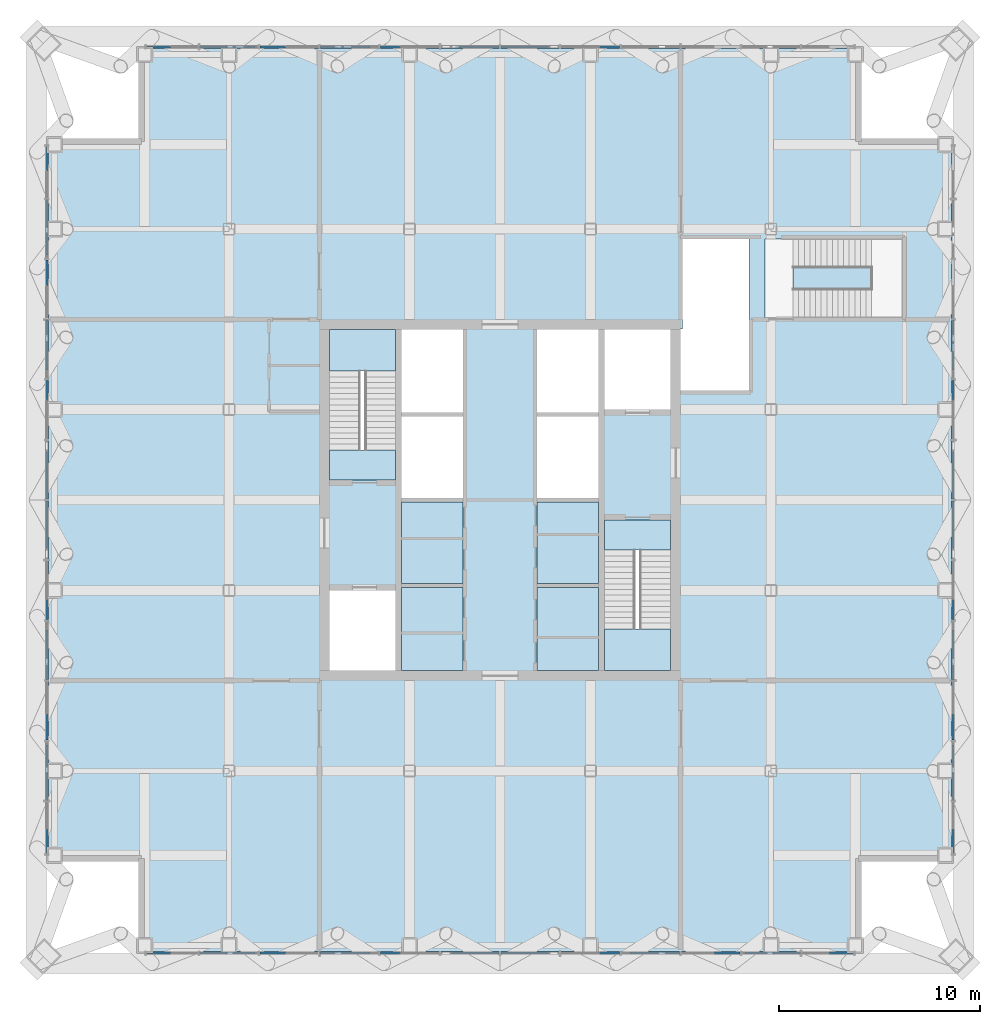
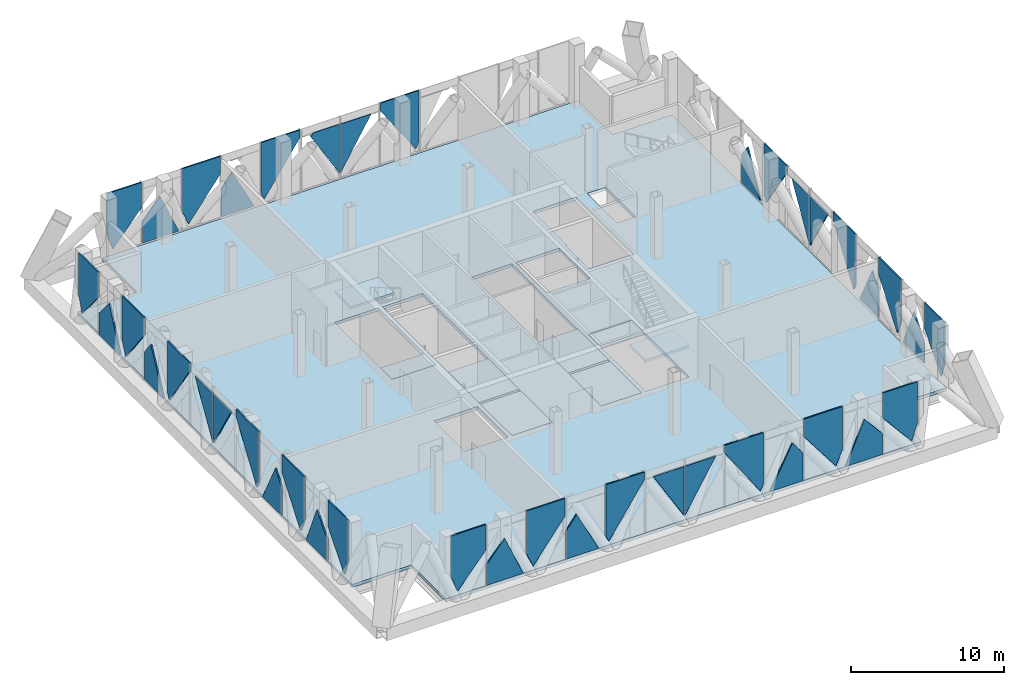
# One storey, part 13 of 27: 41 plates, 9 slabs, 6 elements without a shape of their own.
"""IFC4 building model written with IfcOpenShell, lengths in metres."""

from ifc_helpers import new_model, si_unit, direction, frame, origin, place, context, subcontext, project, spatial, polyline, outline, extrude, material, layer, layer_set, type_object, element, aggregate, save


model = new_model("IFC4")

# Units and contexts
model_context = context("Model", 3, precision=1e-05, world=origin(), true_north=direction((0.0, 1.0)))
body_context = subcontext(model_context, "Body", "Model", "MODEL_VIEW")
ifc_project = project(units=[si_unit("LENGTHUNIT", "METRE"), si_unit("AREAUNIT", "SQUARE_METRE"), si_unit("VOLUMEUNIT", "CUBIC_METRE"), si_unit("PLANEANGLEUNIT", "RADIAN"), si_unit("MASSUNIT", "GRAM", prefix="KILO")], contexts=[model_context])

# Site, building, storey
site_placement = place(None, origin())
site = spatial("IfcSite", under=ifc_project, at=site_placement, CompositionType="ELEMENT")
building_placement = place(site_placement, origin())
building = spatial("IfcBuilding", under=site, at=building_placement, Name="Malebo Sky Hospital", CompositionType="ELEMENT")
storey_placement = place(building_placement, frame((0.0, 0.0, 245.0)))
storey = spatial("IfcBuildingStorey", under=building, at=storey_placement, Name="L59", CompositionType="ELEMENT", Elevation=245.0)

# Slab
ifc_material_1 = material(Name="Concrete C40/50", Category="concrete")
ifc_layer_1 = layer(ifc_material_1, 0.25)
ifc_layer_set_1 = layer_set([ifc_layer_1], Name="COMPOSITE FLOOR SLAB 250")
slab_type_1 = type_object("IfcSlabType", Name="COMPOSITE FLOOR SLAB 250", PredefinedType="FLOOR", material=ifc_layer_set_1)
slab_1_placement = place(storey_placement, frame((0.0, 0.0, -0.25)))
element("IfcSlab", 1, at=slab_1_placement, inside=storey, type_object=slab_type_1, Name="Floor slab L59", PredefinedType="FLOOR", context=body_context, shape_type="SweptSolid", body=[
    extrude(outline(polyline([(78.0, 84.5), (42.0, 84.5), (42.0, 80.0), (37.5, 80.0), (37.5, 44.0), (42.0, 44.0), (42.0, 39.5), (78.0, 39.5), (78.0, 44.0), (82.5, 44.0), (82.5, 80.0), (78.0, 80.0), (78.0, 84.5)]), holes=[polyline([(55.10009765625, 53.5), (55.10009765625, 70.5), (58.14990234375, 70.5), (58.14990234375, 53.5), (55.10009765625, 53.5)]), polyline([(61.85009765625, 70.5), (64.89990234375, 70.5), (64.89990234375, 53.5), (61.85009765625, 53.5), (61.85009765625, 70.5)]), polyline([(54.800048828125, 70.5), (54.800048828125, 63.0), (51.5, 63.0), (51.5, 70.5), (54.800048828125, 70.5)]), polyline([(54.800048828125, 53.5), (51.5, 53.5), (51.5, 57.5), (54.800048828125, 57.5), (54.800048828125, 53.5)]), polyline([(65.199951171875, 53.5), (65.199951171875, 61.0), (68.5, 61.0), (68.5, 53.5), (65.199951171875, 53.5)]), polyline([(65.199951171875, 70.5), (68.5, 70.5), (68.5, 66.5), (65.199951171875, 66.5), (65.199951171875, 70.5)]), polyline([(69.10009765625, 67.449951171875), (69.0, 67.449951171875), (69.0, 70.52001953125), (69.10009765625, 70.52001953125), (69.10009765625, 75.0), (72.39990234375, 75.0), (72.39990234375, 67.449951171875), (69.10009765625, 67.449951171875)]), polyline([(74.60009765625, 71.10009765625), (73.199951171875, 71.10009765625), (73.199951171875, 75.0), (74.60009765625, 75.0), (74.60009765625, 71.10009765625)])]), origin(), (0.0, 0.0, 1.0), 0.25),
])

# Curtain wall, plates
ifc_material_2 = material(Name="Anodised aluminium, natural silver", Category="aluminium")
ifc_layer_2 = layer(ifc_material_2, 0.25)
ifc_layer_set_2 = layer_set([ifc_layer_2], Name="PLANT LOUVRE SCREEN")
curtain_wall_type = type_object("IfcCurtainWallType", Name="PLANT LOUVRE SCREEN", PredefinedType="NOTDEFINED", material=ifc_layer_set_2)
curtain_wall_1_placement = place(storey_placement, origin())
curtain_wall_1 = element("IfcCurtainWall", 2, at=curtain_wall_1_placement, inside=storey, type_object=curtain_wall_type, Name="PLANT curtain wall N", PredefinedType="NOTDEFINED")
ifc_layer_3 = layer(ifc_material_2, 0.10009765625)
ifc_layer_set_3 = layer_set([ifc_layer_3], Name="LOUVRE PANEL 100")
plate_type = type_object("IfcPlateType", Name="LOUVRE PANEL 100", PredefinedType="CURTAIN_PANEL", material=ifc_layer_set_3)
plate_1_placement = place(storey_placement, frame((43.668701171875, 84.574951171875, 0.39794921875), z_axis=(0.0, 0.0, 1.0), x_axis=(1.0, 0.0, 0.0)))
plate_1 = element("IfcPlate", 3, at=plate_1_placement, type_object=plate_type, Name="Panel 1", PredefinedType="CURTAIN_PANEL", context=body_context, shape_type="SweptSolid", body=[
    extrude(outline(polyline([(-0.85595703125, 0.0), (1.293701171875, 2.55712890625), (1.293701171875, 4.592041015625), (-1.293701171875, 4.592041015625), (-1.293701171875, 1.2646484375), (-0.85595703125, 0.0)])), frame((0.0, 0.050048828125, 0.0), z_axis=(0.0, -1.0, 0.0), x_axis=(1.0, 0.0, 0.0)), (0.0, 0.0, 1.0), 0.10009765625),
])
plate_2_placement = place(storey_placement, frame((46.417724609375, 84.574951171875, 0.10009765625), z_axis=(0.0, 0.0, 1.0), x_axis=(1.0, 0.0, 0.0)))
plate_2 = element("IfcPlate", 4, at=plate_2_placement, type_object=plate_type, Name="Panel 2", PredefinedType="CURTAIN_PANEL", context=body_context, shape_type="SweptSolid", body=[
    extrude(outline(polyline([(-1.380126953125, 0.0), (1.380126953125, 0.0), (-0.027587890625, 3.284912109375), (-1.380126953125, 1.67626953125), (-1.380126953125, 0.0)])), frame((0.0, 0.050048828125, 0.0), z_axis=(0.0, -1.0, 0.0), x_axis=(1.0, 0.0, 0.0)), (0.0, 0.0, 1.0), 0.10009765625),
])
plate_3_placement = place(storey_placement, frame((49.5, 84.574951171875, 0.40185546875), z_axis=(0.0, 0.0, 1.0), x_axis=(1.0, 0.0, 0.0)))
plate_3 = element("IfcPlate", 5, at=plate_3_placement, type_object=plate_type, Name="Panel 3", PredefinedType="CURTAIN_PANEL", context=body_context, shape_type="SweptSolid", body=[
    extrude(outline(polyline([(-0.955810546875, 0.0), (1.46240234375, 3.189208984375), (1.46240234375, 4.588134765625), (-1.46240234375, 4.588134765625), (-1.46240234375, 1.18212890625), (-0.955810546875, 0.0)])), frame((0.0, 0.050048828125, 0.0), z_axis=(0.0, -1.0, 0.0), x_axis=(1.0, 0.0, 0.0)), (0.0, 0.0, 1.0), 0.10009765625),
])
plate_4_placement = place(storey_placement, frame((52.2744140625, 84.574951171875, 0.10009765625), z_axis=(0.0, 0.0, 1.0), x_axis=(1.0, 0.0, 0.0)))
plate_4 = element("IfcPlate", 6, at=plate_4_placement, type_object=plate_type, Name="Panel 4", PredefinedType="CURTAIN_PANEL", context=body_context, shape_type="SweptSolid", body=[
    extrude(outline(polyline([(-1.237060546875, 0.0), (1.237060546875, 0.0), (-0.44140625, 3.2841796875), (-1.237060546875, 2.235107421875), (-1.237060546875, 0.0)])), frame((0.0, 0.050048828125, 0.0), z_axis=(0.0, -1.0, 0.0), x_axis=(1.0, 0.0, 0.0)), (0.0, 0.0, 1.0), 0.10009765625),
])
plate_5_placement = place(storey_placement, frame((55.5, 84.574951171875, 0.403076171875), z_axis=(0.0, 0.0, 1.0), x_axis=(1.0, 0.0, 0.0)))
plate_5 = element("IfcPlate", 7, at=plate_5_placement, type_object=plate_type, Name="Panel 5", PredefinedType="CURTAIN_PANEL", context=body_context, shape_type="SweptSolid", body=[
    extrude(outline(polyline([(-1.227294921875, 0.0), (1.46240234375, 3.979736328125), (1.46240234375, 4.5869140625), (-1.46240234375, 4.5869140625), (-1.46240234375, 0.46044921875), (-1.227294921875, 0.0)])), frame((0.0, 0.050048828125, 0.0), z_axis=(0.0, -1.0, 0.0), x_axis=(1.0, 0.0, 0.0)), (0.0, 0.0, 1.0), 0.10009765625),
])
plate_6_placement = place(storey_placement, frame((58.873779296875, 84.574951171875, 0.466796875), z_axis=(0.0, 0.0, 1.0), x_axis=(1.0, 0.0, 0.0)))
plate_6 = element("IfcPlate", 8, at=plate_6_placement, type_object=plate_type, Name="Panel 6", PredefinedType="CURTAIN_PANEL", context=body_context, shape_type="SweptSolid", body=[
    extrude(outline(polyline([(1.088623046875, 0.0), (1.088623046875, 3.92236328125), (-0.9169921875, 3.92236328125), (-1.08837890625, 3.668701171875), (1.088623046875, 0.0)])), frame((0.0, 0.050048828125, 0.0), z_axis=(0.0, -1.0, 0.0), x_axis=(1.0, 0.0, 0.0)), (0.0, 0.0, 1.0), 0.10009765625),
])
plate_7_placement = place(storey_placement, frame((61.197265625, 84.574951171875, 0.466796875), z_axis=(0.0, 0.0, 1.0), x_axis=(1.0, 0.0, 0.0)))
plate_7 = element("IfcPlate", 9, at=plate_7_placement, type_object=plate_type, Name="Panel 7", PredefinedType="CURTAIN_PANEL", context=body_context, shape_type="SweptSolid", body=[
    extrude(outline(polyline([(-1.15966796875, 0.0), (1.15966796875, 3.908447265625), (-1.15966796875, 3.908447265625), (-1.15966796875, 0.0)])), frame((0.0, 0.050048828125, 0.0), z_axis=(0.0, -1.0, 0.0), x_axis=(1.0, 0.0, 0.0)), (0.0, 0.0, 1.0), 0.10009765625),
])
plate_8_placement = place(storey_placement, frame((64.5, 84.574951171875, 0.403076171875), z_axis=(0.0, 0.0, 1.0), x_axis=(1.0, 0.0, 0.0)))
plate_8 = element("IfcPlate", 10, at=plate_8_placement, type_object=plate_type, Name="Panel 8", PredefinedType="CURTAIN_PANEL", context=body_context, shape_type="SweptSolid", body=[
    extrude(outline(polyline([(1.227294921875, 0.0), (1.46240234375, 0.46044921875), (1.46240234375, 4.5869140625), (-1.46240234375, 4.5869140625), (-1.46240234375, 3.979736328125), (1.227294921875, 0.0)])), frame((0.0, 0.050048828125, 0.0), z_axis=(0.0, -1.0, 0.0), x_axis=(1.0, 0.0, 0.0)), (0.0, 0.0, 1.0), 0.10009765625),
])
aggregate(curtain_wall_1, [plate_1, plate_2, plate_3, plate_4, plate_5, plate_6, plate_7, plate_8])

curtain_wall_2_placement = place(storey_placement, origin())
curtain_wall_2 = element("IfcCurtainWall", 11, at=curtain_wall_2_placement, inside=storey, type_object=curtain_wall_type, Name="PLANT curtain wall W", PredefinedType="NOTDEFINED")
plate_9_placement = place(storey_placement, frame((37.425048828125, 45.668701171875, 0.39794921875), z_axis=(0.0, 0.0, 1.0), x_axis=(0.0, 1.0, 0.0)))
plate_9 = element("IfcPlate", 12, at=plate_9_placement, type_object=plate_type, Name="Panel 1", PredefinedType="CURTAIN_PANEL", context=body_context, shape_type="SweptSolid", body=[
    extrude(outline(polyline([(-0.85595703125, 0.0), (1.293701171875, 2.55712890625), (1.293701171875, 4.592041015625), (-1.293701171875, 4.592041015625), (-1.293701171875, 1.2646484375), (-0.85595703125, 0.0)])), frame((0.0, 0.050048828125, 0.0), z_axis=(0.0, -1.0, 0.0), x_axis=(1.0, 0.0, 0.0)), (0.0, 0.0, 1.0), 0.10009765625),
])
plate_10_placement = place(storey_placement, frame((37.425048828125, 48.417724609375, 0.10009765625), z_axis=(0.0, 0.0, 1.0), x_axis=(0.0, 1.0, 0.0)))
plate_10 = element("IfcPlate", 13, at=plate_10_placement, type_object=plate_type, Name="Panel 2", PredefinedType="CURTAIN_PANEL", context=body_context, shape_type="SweptSolid", body=[
    extrude(outline(polyline([(-1.380126953125, 0.0), (1.380126953125, 0.0), (-0.027587890625, 3.284912109375), (-1.380126953125, 1.67626953125), (-1.380126953125, 0.0)])), frame((0.0, 0.050048828125, 0.0), z_axis=(0.0, -1.0, 0.0), x_axis=(1.0, 0.0, 0.0)), (0.0, 0.0, 1.0), 0.10009765625),
])
plate_11_placement = place(storey_placement, frame((37.425048828125, 51.5, 0.40185546875), z_axis=(0.0, 0.0, 1.0), x_axis=(0.0, 1.0, 0.0)))
plate_11 = element("IfcPlate", 14, at=plate_11_placement, type_object=plate_type, Name="Panel 3", PredefinedType="CURTAIN_PANEL", context=body_context, shape_type="SweptSolid", body=[
    extrude(outline(polyline([(-0.955810546875, 0.0), (1.46240234375, 3.189208984375), (1.46240234375, 4.588134765625), (-1.46240234375, 4.588134765625), (-1.46240234375, 1.18212890625), (-0.955810546875, 0.0)])), frame((0.0, 0.050048828125, 0.0), z_axis=(0.0, -1.0, 0.0), x_axis=(1.0, 0.0, 0.0)), (0.0, 0.0, 1.0), 0.10009765625),
])
plate_12_placement = place(storey_placement, frame((37.425048828125, 54.2744140625, 0.10009765625), z_axis=(0.0, 0.0, 1.0), x_axis=(0.0, 1.0, 0.0)))
plate_12 = element("IfcPlate", 15, at=plate_12_placement, type_object=plate_type, Name="Panel 4", PredefinedType="CURTAIN_PANEL", context=body_context, shape_type="SweptSolid", body=[
    extrude(outline(polyline([(-1.237060546875, 0.0), (1.237060546875, 0.0), (-0.44140625, 3.2841796875), (-1.237060546875, 2.235107421875), (-1.237060546875, 0.0)])), frame((0.0, 0.050048828125, 0.0), z_axis=(0.0, -1.0, 0.0), x_axis=(1.0, 0.0, 0.0)), (0.0, 0.0, 1.0), 0.10009765625),
])
plate_13_placement = place(storey_placement, frame((37.425048828125, 57.5, 0.403076171875), z_axis=(0.0, 0.0, 1.0), x_axis=(0.0, 1.0, 0.0)))
plate_13 = element("IfcPlate", 16, at=plate_13_placement, type_object=plate_type, Name="Panel 5", PredefinedType="CURTAIN_PANEL", context=body_context, shape_type="SweptSolid", body=[
    extrude(outline(polyline([(-1.227294921875, 0.0), (1.46240234375, 3.979736328125), (1.46240234375, 4.5869140625), (-1.46240234375, 4.5869140625), (-1.46240234375, 0.46044921875), (-1.227294921875, 0.0)])), frame((0.0, 0.050048828125, 0.0), z_axis=(0.0, -1.0, 0.0), x_axis=(1.0, 0.0, 0.0)), (0.0, 0.0, 1.0), 0.10009765625),
])
plate_14_placement = place(storey_placement, frame((37.425048828125, 60.802734375, 0.466796875), z_axis=(0.0, 0.0, 1.0), x_axis=(0.0, 1.0, 0.0)))
plate_14 = element("IfcPlate", 17, at=plate_14_placement, type_object=plate_type, Name="Panel 6", PredefinedType="CURTAIN_PANEL", context=body_context, shape_type="SweptSolid", body=[
    extrude(outline(polyline([(1.15966796875, 0.0), (1.15966796875, 3.908447265625), (-1.15966796875, 3.908447265625), (1.15966796875, 0.0)])), frame((0.0, 0.050048828125, 0.0), z_axis=(0.0, -1.0, 0.0), x_axis=(1.0, 0.0, 0.0)), (0.0, 0.0, 1.0), 0.10009765625),
])
plate_15_placement = place(storey_placement, frame((37.425048828125, 63.197265625, 0.466796875), z_axis=(0.0, 0.0, 1.0), x_axis=(0.0, 1.0, 0.0)))
plate_15 = element("IfcPlate", 18, at=plate_15_placement, type_object=plate_type, Name="Panel 7", PredefinedType="CURTAIN_PANEL", context=body_context, shape_type="SweptSolid", body=[
    extrude(outline(polyline([(-1.15966796875, 0.0), (1.15966796875, 3.908447265625), (-1.15966796875, 3.908447265625), (-1.15966796875, 0.0)])), frame((0.0, 0.050048828125, 0.0), z_axis=(0.0, -1.0, 0.0), x_axis=(1.0, 0.0, 0.0)), (0.0, 0.0, 1.0), 0.10009765625),
])
plate_16_placement = place(storey_placement, frame((37.425048828125, 66.5, 0.403076171875), z_axis=(0.0, 0.0, 1.0), x_axis=(0.0, 1.0, 0.0)))
plate_16 = element("IfcPlate", 19, at=plate_16_placement, type_object=plate_type, Name="Panel 8", PredefinedType="CURTAIN_PANEL", context=body_context, shape_type="SweptSolid", body=[
    extrude(outline(polyline([(1.227294921875, 0.0), (1.46240234375, 0.46044921875), (1.46240234375, 4.5869140625), (-1.46240234375, 4.5869140625), (-1.46240234375, 3.979736328125), (1.227294921875, 0.0)])), frame((0.0, 0.050048828125, 0.0), z_axis=(0.0, -1.0, 0.0), x_axis=(1.0, 0.0, 0.0)), (0.0, 0.0, 1.0), 0.10009765625),
])
plate_17_placement = place(storey_placement, frame((37.425048828125, 69.7255859375, 0.10009765625), z_axis=(0.0, 0.0, 1.0), x_axis=(0.0, 1.0, 0.0)))
plate_17 = element("IfcPlate", 20, at=plate_17_placement, type_object=plate_type, Name="Panel 9", PredefinedType="CURTAIN_PANEL", context=body_context, shape_type="SweptSolid", body=[
    extrude(outline(polyline([(-1.237060546875, 0.0), (1.237060546875, 0.0), (1.237060546875, 2.235107421875), (0.44140625, 3.2841796875), (-1.237060546875, 0.0)])), frame((0.0, 0.050048828125, 0.0), z_axis=(0.0, -1.0, 0.0), x_axis=(1.0, 0.0, 0.0)), (0.0, 0.0, 1.0), 0.10009765625),
])
plate_18_placement = place(storey_placement, frame((37.425048828125, 72.5, 0.40185546875), z_axis=(0.0, 0.0, 1.0), x_axis=(0.0, 1.0, 0.0)))
plate_18 = element("IfcPlate", 21, at=plate_18_placement, type_object=plate_type, Name="Panel 10", PredefinedType="CURTAIN_PANEL", context=body_context, shape_type="SweptSolid", body=[
    extrude(outline(polyline([(0.955810546875, 0.0), (1.46240234375, 1.18212890625), (1.46240234375, 4.588134765625), (-1.46240234375, 4.588134765625), (-1.46240234375, 3.189208984375), (0.955810546875, 0.0)])), frame((0.0, 0.050048828125, 0.0), z_axis=(0.0, -1.0, 0.0), x_axis=(1.0, 0.0, 0.0)), (0.0, 0.0, 1.0), 0.10009765625),
])
plate_19_placement = place(storey_placement, frame((37.425048828125, 75.582275390625, 0.10009765625), z_axis=(0.0, 0.0, 1.0), x_axis=(0.0, 1.0, 0.0)))
plate_19 = element("IfcPlate", 22, at=plate_19_placement, type_object=plate_type, Name="Panel 11", PredefinedType="CURTAIN_PANEL", context=body_context, shape_type="SweptSolid", body=[
    extrude(outline(polyline([(-1.380126953125, 0.0), (1.380126953125, 0.0), (1.380126953125, 1.67626953125), (0.027587890625, 3.284912109375), (-1.380126953125, 0.0)])), frame((0.0, 0.050048828125, 0.0), z_axis=(0.0, -1.0, 0.0), x_axis=(1.0, 0.0, 0.0)), (0.0, 0.0, 1.0), 0.10009765625),
])
plate_20_placement = place(storey_placement, frame((37.425048828125, 78.331298828125, 0.39794921875), z_axis=(0.0, 0.0, 1.0), x_axis=(0.0, 1.0, 0.0)))
plate_20 = element("IfcPlate", 23, at=plate_20_placement, type_object=plate_type, Name="Panel 12", PredefinedType="CURTAIN_PANEL", context=body_context, shape_type="SweptSolid", body=[
    extrude(outline(polyline([(0.85595703125, 0.0), (1.293701171875, 1.2646484375), (1.293701171875, 4.592041015625), (-1.293701171875, 4.592041015625), (-1.293701171875, 2.55712890625), (0.85595703125, 0.0)])), frame((0.0, 0.050048828125, 0.0), z_axis=(0.0, -1.0, 0.0), x_axis=(1.0, 0.0, 0.0)), (0.0, 0.0, 1.0), 0.10009765625),
])
aggregate(curtain_wall_2, [plate_9, plate_10, plate_11, plate_12, plate_13, plate_14, plate_15, plate_16, plate_17, plate_18, plate_19, plate_20])

curtain_wall_3_placement = place(storey_placement, origin())
curtain_wall_3 = element("IfcCurtainWall", 24, at=curtain_wall_3_placement, inside=storey, type_object=curtain_wall_type, Name="PLANT curtain wall S", PredefinedType="NOTDEFINED")
plate_21_placement = place(storey_placement, frame((76.331298828125, 39.425048828125, 0.39794921875), z_axis=(0.0, 0.0, 1.0), x_axis=(-1.0, 0.0, 0.0)))
plate_21 = element("IfcPlate", 25, at=plate_21_placement, type_object=plate_type, Name="Panel 1", PredefinedType="CURTAIN_PANEL", context=body_context, shape_type="SweptSolid", body=[
    extrude(outline(polyline([(-0.85595703125, 0.0), (1.293701171875, 2.55712890625), (1.293701171875, 4.592041015625), (-1.293701171875, 4.592041015625), (-1.293701171875, 1.2646484375), (-0.85595703125, 0.0)])), frame((0.0, 0.050048828125, 0.0), z_axis=(0.0, -1.0, 0.0), x_axis=(1.0, 0.0, 0.0)), (0.0, 0.0, 1.0), 0.10009765625),
])
plate_22_placement = place(storey_placement, frame((73.582275390625, 39.425048828125, 0.10009765625), z_axis=(0.0, 0.0, 1.0), x_axis=(-1.0, 0.0, 0.0)))
plate_22 = element("IfcPlate", 26, at=plate_22_placement, type_object=plate_type, Name="Panel 2", PredefinedType="CURTAIN_PANEL", context=body_context, shape_type="SweptSolid", body=[
    extrude(outline(polyline([(-1.380126953125, 0.0), (1.380126953125, 0.0), (-0.027587890625, 3.284912109375), (-1.380126953125, 1.67626953125), (-1.380126953125, 0.0)])), frame((0.0, 0.050048828125, 0.0), z_axis=(0.0, -1.0, 0.0), x_axis=(1.0, 0.0, 0.0)), (0.0, 0.0, 1.0), 0.10009765625),
])
plate_23_placement = place(storey_placement, frame((70.5, 39.425048828125, 0.40185546875), z_axis=(0.0, 0.0, 1.0), x_axis=(-1.0, 0.0, 0.0)))
plate_23 = element("IfcPlate", 27, at=plate_23_placement, type_object=plate_type, Name="Panel 3", PredefinedType="CURTAIN_PANEL", context=body_context, shape_type="SweptSolid", body=[
    extrude(outline(polyline([(-0.955810546875, 0.0), (1.46240234375, 3.189208984375), (1.46240234375, 4.588134765625), (-1.46240234375, 4.588134765625), (-1.46240234375, 1.18212890625), (-0.955810546875, 0.0)])), frame((0.0, 0.050048828125, 0.0), z_axis=(0.0, -1.0, 0.0), x_axis=(1.0, 0.0, 0.0)), (0.0, 0.0, 1.0), 0.10009765625),
])
plate_24_placement = place(storey_placement, frame((67.7255859375, 39.425048828125, 0.10009765625), z_axis=(0.0, 0.0, 1.0), x_axis=(-1.0, 0.0, 0.0)))
plate_24 = element("IfcPlate", 28, at=plate_24_placement, type_object=plate_type, Name="Panel 4", PredefinedType="CURTAIN_PANEL", context=body_context, shape_type="SweptSolid", body=[
    extrude(outline(polyline([(-1.237060546875, 0.0), (1.237060546875, 0.0), (-0.44140625, 3.2841796875), (-1.237060546875, 2.235107421875), (-1.237060546875, 0.0)])), frame((0.0, 0.050048828125, 0.0), z_axis=(0.0, -1.0, 0.0), x_axis=(1.0, 0.0, 0.0)), (0.0, 0.0, 1.0), 0.10009765625),
])
plate_25_placement = place(storey_placement, frame((64.5, 39.425048828125, 0.403076171875), z_axis=(0.0, 0.0, 1.0), x_axis=(-1.0, 0.0, 0.0)))
plate_25 = element("IfcPlate", 29, at=plate_25_placement, type_object=plate_type, Name="Panel 5", PredefinedType="CURTAIN_PANEL", context=body_context, shape_type="SweptSolid", body=[
    extrude(outline(polyline([(-1.227294921875, 0.0), (1.46240234375, 3.979736328125), (1.46240234375, 4.5869140625), (-1.46240234375, 4.5869140625), (-1.46240234375, 0.46044921875), (-1.227294921875, 0.0)])), frame((0.0, 0.050048828125, 0.0), z_axis=(0.0, -1.0, 0.0), x_axis=(1.0, 0.0, 0.0)), (0.0, 0.0, 1.0), 0.10009765625),
])
plate_26_placement = place(storey_placement, frame((61.197265625, 39.425048828125, 0.466796875), z_axis=(0.0, 0.0, 1.0), x_axis=(-1.0, 0.0, 0.0)))
plate_26 = element("IfcPlate", 30, at=plate_26_placement, type_object=plate_type, Name="Panel 6", PredefinedType="CURTAIN_PANEL", context=body_context, shape_type="SweptSolid", body=[
    extrude(outline(polyline([(1.15966796875, 0.0), (1.15966796875, 3.908447265625), (-1.15966796875, 3.908447265625), (1.15966796875, 0.0)])), frame((0.0, 0.050048828125, 0.0), z_axis=(0.0, -1.0, 0.0), x_axis=(1.0, 0.0, 0.0)), (0.0, 0.0, 1.0), 0.10009765625),
])
plate_27_placement = place(storey_placement, frame((58.802734375, 39.425048828125, 0.466796875), z_axis=(0.0, 0.0, 1.0), x_axis=(-1.0, 0.0, 0.0)))
plate_27 = element("IfcPlate", 31, at=plate_27_placement, type_object=plate_type, Name="Panel 7", PredefinedType="CURTAIN_PANEL", context=body_context, shape_type="SweptSolid", body=[
    extrude(outline(polyline([(-1.15966796875, 0.0), (1.15966796875, 3.908447265625), (-1.15966796875, 3.908447265625), (-1.15966796875, 0.0)])), frame((0.0, 0.050048828125, 0.0), z_axis=(0.0, -1.0, 0.0), x_axis=(1.0, 0.0, 0.0)), (0.0, 0.0, 1.0), 0.10009765625),
])
plate_28_placement = place(storey_placement, frame((55.5, 39.425048828125, 0.403076171875), z_axis=(0.0, 0.0, 1.0), x_axis=(-1.0, 0.0, 0.0)))
plate_28 = element("IfcPlate", 32, at=plate_28_placement, type_object=plate_type, Name="Panel 8", PredefinedType="CURTAIN_PANEL", context=body_context, shape_type="SweptSolid", body=[
    extrude(outline(polyline([(1.227294921875, 0.0), (1.46240234375, 0.46044921875), (1.46240234375, 4.5869140625), (-1.46240234375, 4.5869140625), (-1.46240234375, 3.979736328125), (1.227294921875, 0.0)])), frame((0.0, 0.050048828125, 0.0), z_axis=(0.0, -1.0, 0.0), x_axis=(1.0, 0.0, 0.0)), (0.0, 0.0, 1.0), 0.10009765625),
])
plate_29_placement = place(storey_placement, frame((52.2744140625, 39.425048828125, 0.10009765625), z_axis=(0.0, 0.0, 1.0), x_axis=(-1.0, 0.0, 0.0)))
plate_29 = element("IfcPlate", 33, at=plate_29_placement, type_object=plate_type, Name="Panel 9", PredefinedType="CURTAIN_PANEL", context=body_context, shape_type="SweptSolid", body=[
    extrude(outline(polyline([(-1.237060546875, 0.0), (1.237060546875, 0.0), (1.237060546875, 2.235107421875), (0.44140625, 3.2841796875), (-1.237060546875, 0.0)])), frame((0.0, 0.050048828125, 0.0), z_axis=(0.0, -1.0, 0.0), x_axis=(1.0, 0.0, 0.0)), (0.0, 0.0, 1.0), 0.10009765625),
])
plate_30_placement = place(storey_placement, frame((49.5, 39.425048828125, 0.40185546875), z_axis=(0.0, 0.0, 1.0), x_axis=(-1.0, 0.0, 0.0)))
plate_30 = element("IfcPlate", 34, at=plate_30_placement, type_object=plate_type, Name="Panel 10", PredefinedType="CURTAIN_PANEL", context=body_context, shape_type="SweptSolid", body=[
    extrude(outline(polyline([(0.955810546875, 0.0), (1.46240234375, 1.18212890625), (1.46240234375, 4.588134765625), (-1.46240234375, 4.588134765625), (-1.46240234375, 3.189208984375), (0.955810546875, 0.0)])), frame((0.0, 0.050048828125, 0.0), z_axis=(0.0, -1.0, 0.0), x_axis=(1.0, 0.0, 0.0)), (0.0, 0.0, 1.0), 0.10009765625),
])
plate_31_placement = place(storey_placement, frame((46.417724609375, 39.425048828125, 0.10009765625), z_axis=(0.0, 0.0, 1.0), x_axis=(-1.0, 0.0, 0.0)))
plate_31 = element("IfcPlate", 35, at=plate_31_placement, type_object=plate_type, Name="Panel 11", PredefinedType="CURTAIN_PANEL", context=body_context, shape_type="SweptSolid", body=[
    extrude(outline(polyline([(-1.380126953125, 0.0), (1.380126953125, 0.0), (1.380126953125, 1.67626953125), (0.027587890625, 3.284912109375), (-1.380126953125, 0.0)])), frame((0.0, 0.050048828125, 0.0), z_axis=(0.0, -1.0, 0.0), x_axis=(1.0, 0.0, 0.0)), (0.0, 0.0, 1.0), 0.10009765625),
])
plate_32_placement = place(storey_placement, frame((43.668701171875, 39.425048828125, 0.39794921875), z_axis=(0.0, 0.0, 1.0), x_axis=(-1.0, 0.0, 0.0)))
plate_32 = element("IfcPlate", 36, at=plate_32_placement, type_object=plate_type, Name="Panel 12", PredefinedType="CURTAIN_PANEL", context=body_context, shape_type="SweptSolid", body=[
    extrude(outline(polyline([(0.85595703125, 0.0), (1.293701171875, 1.2646484375), (1.293701171875, 4.592041015625), (-1.293701171875, 4.592041015625), (-1.293701171875, 2.55712890625), (0.85595703125, 0.0)])), frame((0.0, 0.050048828125, 0.0), z_axis=(0.0, -1.0, 0.0), x_axis=(1.0, 0.0, 0.0)), (0.0, 0.0, 1.0), 0.10009765625),
])
aggregate(curtain_wall_3, [plate_21, plate_22, plate_23, plate_24, plate_25, plate_26, plate_27, plate_28, plate_29, plate_30, plate_31, plate_32])

curtain_wall_4_placement = place(storey_placement, origin())
curtain_wall_4 = element("IfcCurtainWall", 37, at=curtain_wall_4_placement, inside=storey, type_object=curtain_wall_type, Name="PLANT curtain wall E", PredefinedType="NOTDEFINED")
plate_33_placement = place(storey_placement, frame((82.574951171875, 69.7255859375, 0.10009765625), z_axis=(0.0, 0.0, 1.0), x_axis=(0.0, -1.0, 0.0)))
plate_33 = element("IfcPlate", 38, at=plate_33_placement, type_object=plate_type, Name="Panel 4", PredefinedType="CURTAIN_PANEL", context=body_context, shape_type="SweptSolid", body=[
    extrude(outline(polyline([(-1.237060546875, 0.0), (1.237060546875, 0.0), (-0.44140625, 3.2841796875), (-1.237060546875, 2.235107421875), (-1.237060546875, 0.0)])), frame((0.0, 0.050048828125, 0.0), z_axis=(0.0, -1.0, 0.0), x_axis=(1.0, 0.0, 0.0)), (0.0, 0.0, 1.0), 0.10009765625),
])
plate_34_placement = place(storey_placement, frame((82.574951171875, 66.5, 0.403076171875), z_axis=(0.0, 0.0, 1.0), x_axis=(0.0, -1.0, 0.0)))
plate_34 = element("IfcPlate", 39, at=plate_34_placement, type_object=plate_type, Name="Panel 5", PredefinedType="CURTAIN_PANEL", context=body_context, shape_type="SweptSolid", body=[
    extrude(outline(polyline([(-1.227294921875, 0.0), (1.46240234375, 3.979736328125), (1.46240234375, 4.5869140625), (-1.46240234375, 4.5869140625), (-1.46240234375, 0.46044921875), (-1.227294921875, 0.0)])), frame((0.0, 0.050048828125, 0.0), z_axis=(0.0, -1.0, 0.0), x_axis=(1.0, 0.0, 0.0)), (0.0, 0.0, 1.0), 0.10009765625),
])
plate_35_placement = place(storey_placement, frame((82.574951171875, 63.197265625, 0.466796875), z_axis=(0.0, 0.0, 1.0), x_axis=(0.0, -1.0, 0.0)))
plate_35 = element("IfcPlate", 40, at=plate_35_placement, type_object=plate_type, Name="Panel 6", PredefinedType="CURTAIN_PANEL", context=body_context, shape_type="SweptSolid", body=[
    extrude(outline(polyline([(1.15966796875, 0.0), (1.15966796875, 3.908447265625), (-1.15966796875, 3.908447265625), (1.15966796875, 0.0)])), frame((0.0, 0.050048828125, 0.0), z_axis=(0.0, -1.0, 0.0), x_axis=(1.0, 0.0, 0.0)), (0.0, 0.0, 1.0), 0.10009765625),
])
plate_36_placement = place(storey_placement, frame((82.574951171875, 60.802734375, 0.466796875), z_axis=(0.0, 0.0, 1.0), x_axis=(0.0, -1.0, 0.0)))
plate_36 = element("IfcPlate", 41, at=plate_36_placement, type_object=plate_type, Name="Panel 7", PredefinedType="CURTAIN_PANEL", context=body_context, shape_type="SweptSolid", body=[
    extrude(outline(polyline([(-1.15966796875, 0.0), (1.15966796875, 3.908447265625), (-1.15966796875, 3.908447265625), (-1.15966796875, 0.0)])), frame((0.0, 0.050048828125, 0.0), z_axis=(0.0, -1.0, 0.0), x_axis=(1.0, 0.0, 0.0)), (0.0, 0.0, 1.0), 0.10009765625),
])
plate_37_placement = place(storey_placement, frame((82.574951171875, 57.5, 0.403076171875), z_axis=(0.0, 0.0, 1.0), x_axis=(0.0, -1.0, 0.0)))
plate_37 = element("IfcPlate", 42, at=plate_37_placement, type_object=plate_type, Name="Panel 8", PredefinedType="CURTAIN_PANEL", context=body_context, shape_type="SweptSolid", body=[
    extrude(outline(polyline([(1.227294921875, 0.0), (1.46240234375, 0.46044921875), (1.46240234375, 4.5869140625), (-1.46240234375, 4.5869140625), (-1.46240234375, 3.979736328125), (1.227294921875, 0.0)])), frame((0.0, 0.050048828125, 0.0), z_axis=(0.0, -1.0, 0.0), x_axis=(1.0, 0.0, 0.0)), (0.0, 0.0, 1.0), 0.10009765625),
])
plate_38_placement = place(storey_placement, frame((82.574951171875, 54.2744140625, 0.10009765625), z_axis=(0.0, 0.0, 1.0), x_axis=(0.0, -1.0, 0.0)))
plate_38 = element("IfcPlate", 43, at=plate_38_placement, type_object=plate_type, Name="Panel 9", PredefinedType="CURTAIN_PANEL", context=body_context, shape_type="SweptSolid", body=[
    extrude(outline(polyline([(-1.237060546875, 0.0), (1.237060546875, 0.0), (1.237060546875, 2.235107421875), (0.44140625, 3.2841796875), (-1.237060546875, 0.0)])), frame((0.0, 0.050048828125, 0.0), z_axis=(0.0, -1.0, 0.0), x_axis=(1.0, 0.0, 0.0)), (0.0, 0.0, 1.0), 0.10009765625),
])
plate_39_placement = place(storey_placement, frame((82.574951171875, 51.5, 0.40185546875), z_axis=(0.0, 0.0, 1.0), x_axis=(0.0, -1.0, 0.0)))
plate_39 = element("IfcPlate", 44, at=plate_39_placement, type_object=plate_type, Name="Panel 10", PredefinedType="CURTAIN_PANEL", context=body_context, shape_type="SweptSolid", body=[
    extrude(outline(polyline([(0.955810546875, 0.0), (1.46240234375, 1.18212890625), (1.46240234375, 4.588134765625), (-1.46240234375, 4.588134765625), (-1.46240234375, 3.189208984375), (0.955810546875, 0.0)])), frame((0.0, 0.050048828125, 0.0), z_axis=(0.0, -1.0, 0.0), x_axis=(1.0, 0.0, 0.0)), (0.0, 0.0, 1.0), 0.10009765625),
])
plate_40_placement = place(storey_placement, frame((82.574951171875, 48.417724609375, 0.10009765625), z_axis=(0.0, 0.0, 1.0), x_axis=(0.0, -1.0, 0.0)))
plate_40 = element("IfcPlate", 45, at=plate_40_placement, type_object=plate_type, Name="Panel 11", PredefinedType="CURTAIN_PANEL", context=body_context, shape_type="SweptSolid", body=[
    extrude(outline(polyline([(-1.380126953125, 0.0), (1.380126953125, 0.0), (1.380126953125, 1.67626953125), (0.027587890625, 3.284912109375), (-1.380126953125, 0.0)])), frame((0.0, 0.050048828125, 0.0), z_axis=(0.0, -1.0, 0.0), x_axis=(1.0, 0.0, 0.0)), (0.0, 0.0, 1.0), 0.10009765625),
])
plate_41_placement = place(storey_placement, frame((82.574951171875, 45.668701171875, 0.39794921875), z_axis=(0.0, 0.0, 1.0), x_axis=(0.0, -1.0, 0.0)))
plate_41 = element("IfcPlate", 46, at=plate_41_placement, type_object=plate_type, Name="Panel 12", PredefinedType="CURTAIN_PANEL", context=body_context, shape_type="SweptSolid", body=[
    extrude(outline(polyline([(0.85595703125, 0.0), (1.293701171875, 1.2646484375), (1.293701171875, 4.592041015625), (-1.293701171875, 4.592041015625), (-1.293701171875, 2.55712890625), (0.85595703125, 0.0)])), frame((0.0, 0.050048828125, 0.0), z_axis=(0.0, -1.0, 0.0), x_axis=(1.0, 0.0, 0.0)), (0.0, 0.0, 1.0), 0.10009765625),
])
aggregate(curtain_wall_4, [plate_33, plate_34, plate_35, plate_36, plate_37, plate_38, plate_39, plate_40, plate_41])

# Slabs
ifc_layer_4 = layer(ifc_material_1, 0.25)
ifc_layer_set_4 = layer_set([ifc_layer_4], Name="SHAFT INFILL SLAB 250")
slab_type_2 = type_object("IfcSlabType", Name="SHAFT INFILL SLAB 250", PredefinedType="FLOOR", material=ifc_layer_set_4)
slab_2_placement = place(storey_placement, frame((0.0, 0.0, -0.25)))
element("IfcSlab", 47, at=slab_2_placement, inside=storey, type_object=slab_type_2, Name="Shaft infill slab W1 L59", PredefinedType="FLOOR", context=body_context, shape_type="SweptSolid", body=[
    extrude(outline(polyline([(55.10009765625, 53.5), (58.14990234375, 53.5), (58.14990234375, 57.64990234375), (55.10009765625, 57.64990234375), (55.10009765625, 53.5)])), origin(), (0.0, 0.0, 1.0), 0.25),
])
slab_3_placement = place(storey_placement, frame((0.0, 0.0, -0.25)))
element("IfcSlab", 48, at=slab_3_placement, inside=storey, type_object=slab_type_2, Name="Shaft infill slab W2 L59", PredefinedType="FLOOR", context=body_context, shape_type="SweptSolid", body=[
    extrude(outline(polyline([(55.10009765625, 57.85009765625), (58.14990234375, 57.85009765625), (58.14990234375, 61.89990234375), (55.10009765625, 61.89990234375), (55.10009765625, 57.85009765625)])), origin(), (0.0, 0.0, 1.0), 0.25),
])
slab_4_placement = place(storey_placement, frame((0.0, 0.0, -0.25)))
element("IfcSlab", 49, at=slab_4_placement, inside=storey, type_object=slab_type_2, Name="Shaft infill slab E1 L59", PredefinedType="FLOOR", context=body_context, shape_type="SweptSolid", body=[
    extrude(outline(polyline([(61.85009765625, 53.5), (64.89990234375, 53.5), (64.89990234375, 57.64990234375), (61.85009765625, 57.64990234375), (61.85009765625, 53.5)])), origin(), (0.0, 0.0, 1.0), 0.25),
])
slab_5_placement = place(storey_placement, frame((0.0, 0.0, -0.25)))
element("IfcSlab", 50, at=slab_5_placement, inside=storey, type_object=slab_type_2, Name="Shaft infill slab E2 L59", PredefinedType="FLOOR", context=body_context, shape_type="SweptSolid", body=[
    extrude(outline(polyline([(61.85009765625, 57.85009765625), (64.89990234375, 57.85009765625), (64.89990234375, 61.89990234375), (61.85009765625, 61.89990234375), (61.85009765625, 57.85009765625)])), origin(), (0.0, 0.0, 1.0), 0.25),
])

# Stair, slabs
stair_type = type_object("IfcStairType", Name="HALF-TURN STAIR 1500 R167", PredefinedType="HALF_TURN_STAIR", material=ifc_material_1)
stair_1_placement = place(storey_placement, origin())
stair_1 = element("IfcStair", 51, at=stair_1_placement, inside=storey, type_object=stair_type, Name="Stair S1 L59 type ST1", PredefinedType="HALF_TURN_STAIR")
ifc_layer_5 = layer(ifc_material_1, 0.199951171875)
ifc_layer_set_5 = layer_set([ifc_layer_5], Name="STAIR LANDING 200")
slab_type_3 = type_object("IfcSlabType", Name="STAIR LANDING 200", PredefinedType="LANDING", material=ifc_layer_set_5)
slab_6_placement = place(storey_placement, frame((0.0, 0.0, -0.199951171875)))
slab_6 = element("IfcSlab", 52, at=slab_6_placement, type_object=slab_type_3, Name="S1 landing 1", PredefinedType="LANDING", context=body_context, shape_type="SweptSolid", body=[
    extrude(outline(polyline([(51.5, 63.0), (54.800048828125, 63.0), (54.800048828125, 64.5), (51.5, 64.5), (51.5, 63.0)])), origin(), (0.0, 0.0, 1.0), 0.199951171875),
])
slab_7_placement = place(storey_placement, frame((0.0, 0.0, 2.300048828125)))
slab_7 = element("IfcSlab", 53, at=slab_7_placement, type_object=slab_type_3, Name="S1 landing 2", PredefinedType="LANDING", context=body_context, shape_type="SweptSolid", body=[
    extrude(outline(polyline([(51.5, 68.419921875), (54.800048828125, 68.419921875), (54.800048828125, 70.5), (51.5, 70.5), (51.5, 68.419921875)])), origin(), (0.0, 0.0, 1.0), 0.199951171875),
])
aggregate(stair_1, [slab_6, slab_7])

stair_2_placement = place(storey_placement, origin())
stair_2 = element("IfcStair", 54, at=stair_2_placement, inside=storey, type_object=stair_type, Name="Stair S2 L59 type ST1", PredefinedType="HALF_TURN_STAIR")
slab_8_placement = place(storey_placement, frame((0.0, 0.0, -0.199951171875)))
slab_8 = element("IfcSlab", 55, at=slab_8_placement, type_object=slab_type_3, Name="S2 landing 1", PredefinedType="LANDING", context=body_context, shape_type="SweptSolid", body=[
    extrude(outline(polyline([(65.199951171875, 59.5), (68.5, 59.5), (68.5, 61.0), (65.199951171875, 61.0), (65.199951171875, 59.5)])), origin(), (0.0, 0.0, 1.0), 0.199951171875),
])
slab_9_placement = place(storey_placement, frame((0.0, 0.0, 2.300048828125)))
slab_9 = element("IfcSlab", 56, at=slab_9_placement, type_object=slab_type_3, Name="S2 landing 2", PredefinedType="LANDING", context=body_context, shape_type="SweptSolid", body=[
    extrude(outline(polyline([(65.199951171875, 53.5), (68.5, 53.5), (68.5, 55.580078125), (65.199951171875, 55.580078125), (65.199951171875, 53.5)])), origin(), (0.0, 0.0, 1.0), 0.199951171875),
])
aggregate(stair_2, [slab_8, slab_9])

save(model, "model.ifc")
